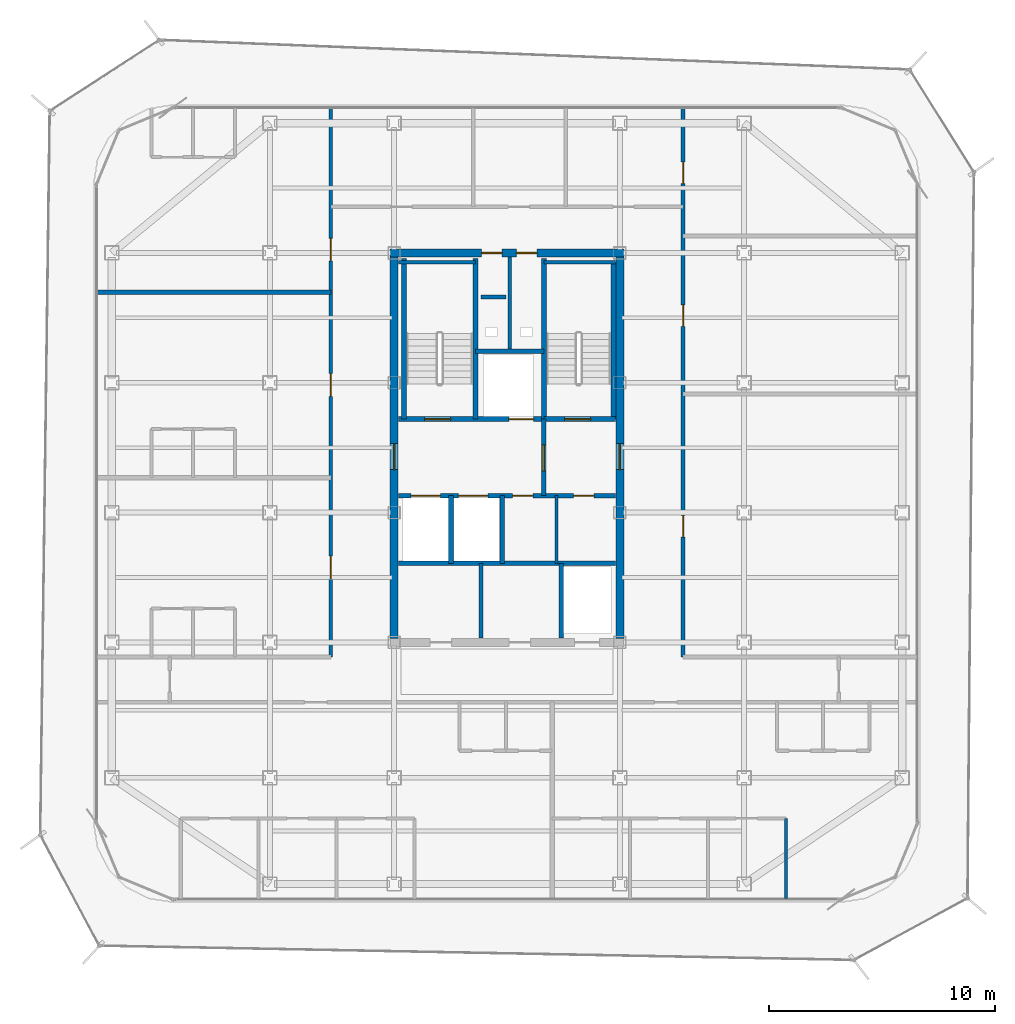
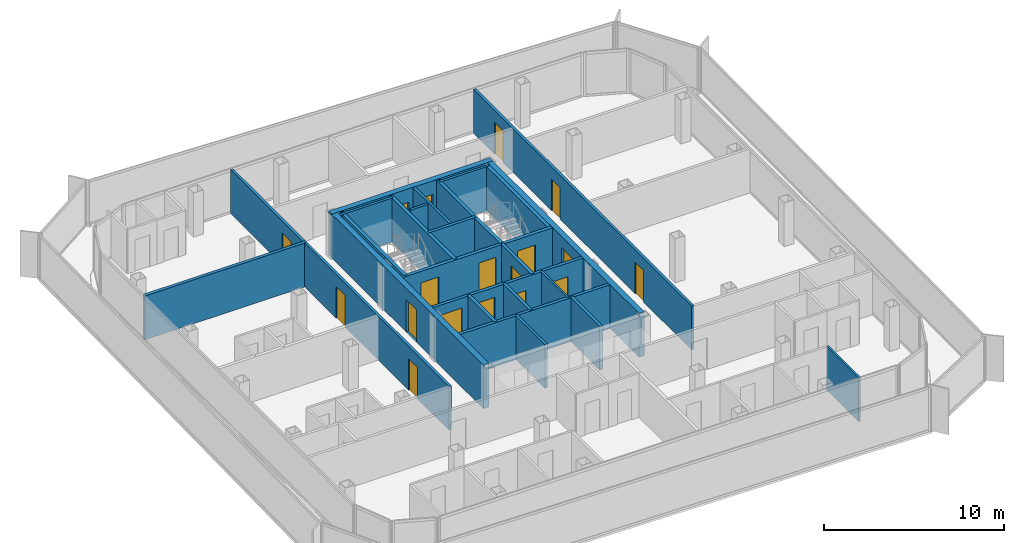
# One storey, part 11 of 15: 26 walls, 18 doors, 18 openings.
"""IFC4 building model written with IfcOpenShell, lengths in metres."""

from ifc_helpers import new_model, si_unit, direction, frame, frame_2d, origin, place, context, subcontext, project, spatial, rectangle, extrude, material, layer, layer_set, type_object, element, fill, save


model = new_model("IFC4")

# Units and contexts
model_context = context("Model", 3, precision=1e-05, world=origin(), true_north=direction((0.0, 1.0)))
body_context = subcontext(model_context, "Body", "Model", "MODEL_VIEW")
ifc_project = project(units=[si_unit("LENGTHUNIT", "METRE"), si_unit("AREAUNIT", "SQUARE_METRE"), si_unit("VOLUMEUNIT", "CUBIC_METRE"), si_unit("PLANEANGLEUNIT", "RADIAN"), si_unit("MASSUNIT", "GRAM", prefix="KILO")], contexts=[model_context])

# Site, building, storey
site_placement = place(None, origin())
site = spatial("IfcSite", under=ifc_project, at=site_placement, CompositionType="ELEMENT")
building_placement = place(site_placement, origin())
building = spatial("IfcBuilding", under=site, at=building_placement, Name="Kolveth Station Tower", CompositionType="ELEMENT")
storey_placement = place(building_placement, frame((0.0, 0.0, 261.699951171875)))
storey = spatial("IfcBuildingStorey", under=building, at=storey_placement, Name="L75", CompositionType="ELEMENT", Elevation=261.699951171875)

# Wall, openings, doors
ifc_material_1 = material(Name="Concrete C50/60", Category="concrete")
ifc_layer_1 = layer(ifc_material_1, 0.35009765625)
ifc_layer_set_1 = layer_set([ifc_layer_1], Name="Concrete C50/60")
wall_type_1 = type_object("IfcWallType", Name="Wall_CW-350", PredefinedType="SHEAR", material=ifc_layer_set_1)
wall_1_placement = place(storey_placement, frame((18.324951171875, 28.75, 0.0), z_axis=(0.0, 0.0, 1.0), x_axis=(1.0, 0.0, 0.0)))
wall_1 = element("IfcWall", 1, at=wall_1_placement, inside=storey, type_object=wall_type_1, Name="L75 Core RC Shear Wall N", PredefinedType="SHEAR", context=body_context, shape_type="SweptSolid", body=[
    extrude(rectangle(XDim=10.35009765625, YDim=0.35009765625, at=frame_2d((5.175048828125, 0.0))), origin(), (0.0, 0.0, 1.0), 2.97998046875),
])
opening_1_placement = place(wall_1_placement, frame((4.054931640625, 0.0, 0.0)))
opening_1 = element("IfcOpeningElement", 2, at=opening_1_placement, cuts=wall_1, Name="Opening RD1", PredefinedType="OPENING", context=body_context, shape_type="SweptSolid", body=[
    extrude(rectangle(XDim=0.89990234375, YDim=2.050048828125, at=frame_2d((0.449951171875, 1.02490234375))), frame((0.0, 0.18505859375, 0.0), z_axis=(0.0, -1.0, 0.0), x_axis=(1.0, 0.0, 0.0)), (0.0, 0.0, 1.0), 0.3701171875),
])
opening_2_placement = place(wall_1_placement, frame((5.594970703125, 0.0, 0.0)))
opening_2 = element("IfcOpeningElement", 3, at=opening_2_placement, cuts=wall_1, Name="Opening RD1", PredefinedType="OPENING", context=body_context, shape_type="SweptSolid", body=[
    extrude(rectangle(XDim=0.89990234375, YDim=2.050048828125, at=frame_2d((0.449951171875, 1.02490234375))), frame((0.0, 0.18505859375, 0.0), z_axis=(0.0, -1.0, 0.0), x_axis=(1.0, 0.0, 0.0)), (0.0, 0.0, 1.0), 0.3701171875),
])
ifc_material_2 = material(Name="Fire-rated Steel S355 riser access leaf", Category="steel")
door_type_1 = type_object("IfcDoorType", Name="Door_RD1", OperationType="NOTDEFINED", PredefinedType="DOOR", material=ifc_material_2)
door_1_placement = place(opening_1_placement, origin())
door_1 = element("IfcDoor", 4, at=door_1_placement, inside=storey, type_object=door_type_1, Name="L75 Electrical Riser Access Door", OperationType="SINGLE_SWING_RIGHT", OverallHeight=2.050048828125, OverallWidth=0.89990234375, PredefinedType="DOOR", context=body_context, shape_type="SweptSolid", body=[
    extrude(rectangle(XDim=0.89990234375, YDim=2.050048828125, at=frame_2d((0.449951171875, 1.02490234375))), frame((0.0, 0.02490234375, 0.0), z_axis=(0.0, -1.0, 0.0), x_axis=(1.0, 0.0, 0.0)), (0.0, 0.0, 1.0), 0.050048828125),
])
fill(opening_1, door_1)
door_2_placement = place(opening_2_placement, origin())
door_2 = element("IfcDoor", 5, at=door_2_placement, inside=storey, type_object=door_type_1, Name="L75 Smoke Duct Access Door", OperationType="SINGLE_SWING_LEFT", OverallHeight=2.050048828125, OverallWidth=0.89990234375, PredefinedType="DOOR", context=body_context, shape_type="SweptSolid", body=[
    extrude(rectangle(XDim=0.89990234375, YDim=2.050048828125, at=frame_2d((0.449951171875, 1.02490234375))), frame((0.0, 0.02490234375, 0.0), z_axis=(0.0, -1.0, 0.0), x_axis=(1.0, 0.0, 0.0)), (0.0, 0.0, 1.0), 0.050048828125),
])
fill(opening_2, door_2)

# Wall, opening, door
wall_2_placement = place(storey_placement, frame((18.5, 11.675048828125, 0.0), z_axis=(0.0, 0.0, 1.0), x_axis=(0.0, 1.0, 0.0)))
wall_2 = element("IfcWall", 6, at=wall_2_placement, inside=storey, type_object=wall_type_1, Name="L75 Core RC Shear Wall W", PredefinedType="SHEAR", context=body_context, shape_type="SweptSolid", body=[
    extrude(rectangle(XDim=16.89990234375, YDim=0.35009765625, at=frame_2d((8.449951171875, 0.0))), origin(), (0.0, 0.0, 1.0), 2.97998046875),
])
opening_3_placement = place(wall_2_placement, frame((7.47509765625, 0.0, 0.0)))
opening_3 = element("IfcOpeningElement", 7, at=opening_3_placement, cuts=wall_2, Name="Opening FD1", PredefinedType="OPENING", context=body_context, shape_type="SweptSolid", body=[
    extrude(rectangle(XDim=1.14990234375, YDim=2.199951171875, at=frame_2d((0.574951171875, 1.10009765625))), frame((0.0, 0.18505859375, 0.0), z_axis=(0.0, -1.0, 0.0), x_axis=(1.0, 0.0, 0.0)), (0.0, 0.0, 1.0), 0.3701171875),
])
ifc_material_3 = material(Name="Fire-rated Steel S355 leaf and frame", Category="steel")
door_type_2 = type_object("IfcDoorType", Name="Door_FD1", OperationType="NOTDEFINED", PredefinedType="DOOR", material=ifc_material_3)
door_3_placement = place(opening_3_placement, frame((1.14990234375, 0.0, 0.0), z_axis=(0.0, 0.0, 1.0), x_axis=(-1.0, 0.0, 0.0)))
door_3 = element("IfcDoor", 8, at=door_3_placement, inside=storey, type_object=door_type_2, Name="L75 West Corridor to Firefighting Lobby Door", OperationType="SINGLE_SWING_LEFT", OverallHeight=2.199951171875, OverallWidth=1.14990234375, PredefinedType="DOOR", context=body_context, shape_type="SweptSolid", body=[
    extrude(rectangle(XDim=1.14990234375, YDim=2.199951171875, at=frame_2d((0.574951171875, 1.10009765625))), frame((0.0, 0.02490234375, 0.0), z_axis=(0.0, -1.0, 0.0), x_axis=(1.0, 0.0, 0.0)), (0.0, 0.0, 1.0), 0.050048828125),
])
fill(opening_3, door_3)

wall_3_placement = place(storey_placement, frame((28.5, 11.675048828125, 0.0), z_axis=(0.0, 0.0, 1.0), x_axis=(0.0, 1.0, 0.0)))
wall_3 = element("IfcWall", 9, at=wall_3_placement, inside=storey, type_object=wall_type_1, Name="L75 Core RC Shear Wall E", PredefinedType="SHEAR", context=body_context, shape_type="SweptSolid", body=[
    extrude(rectangle(XDim=16.89990234375, YDim=0.35009765625, at=frame_2d((8.449951171875, 0.0))), origin(), (0.0, 0.0, 1.0), 2.97998046875),
])
opening_4_placement = place(wall_3_placement, frame((7.47509765625, 0.0, 0.0)))
opening_4 = element("IfcOpeningElement", 10, at=opening_4_placement, cuts=wall_3, Name="Opening FD1", PredefinedType="OPENING", context=body_context, shape_type="SweptSolid", body=[
    extrude(rectangle(XDim=1.14990234375, YDim=2.199951171875, at=frame_2d((0.574951171875, 1.10009765625))), frame((0.0, 0.18505859375, 0.0), z_axis=(0.0, -1.0, 0.0), x_axis=(1.0, 0.0, 0.0)), (0.0, 0.0, 1.0), 0.3701171875),
])
door_4_placement = place(opening_4_placement, origin())
door_4 = element("IfcDoor", 11, at=door_4_placement, inside=storey, type_object=door_type_2, Name="L75 East Corridor to Stair Lobby Door", OperationType="SINGLE_SWING_LEFT", OverallHeight=2.199951171875, OverallWidth=1.14990234375, PredefinedType="DOOR", context=body_context, shape_type="SweptSolid", body=[
    extrude(rectangle(XDim=1.14990234375, YDim=2.199951171875, at=frame_2d((0.574951171875, 1.10009765625))), frame((0.0, 0.02490234375, 0.0), z_axis=(0.0, -1.0, 0.0), x_axis=(1.0, 0.0, 0.0)), (0.0, 0.0, 1.0), 0.050048828125),
])
fill(opening_4, door_4)

# Walls
ifc_material_4 = material(Name="Moisture-resistant gypsum partition")
ifc_layer_2 = layer(ifc_material_4, 0.135009765625)
ifc_layer_set_2 = layer_set([ifc_layer_2], Name="Moisture-resistant gypsum partition")
wall_type_2 = type_object("IfcWallType", Name="Wall_IW-135", PredefinedType="PARTITIONING", material=ifc_layer_set_2)
wall_4_placement = place(storey_placement, frame((25.699951171875, 15.0, 0.0), z_axis=(0.0, 0.0, 1.0), x_axis=(0.0, 1.0, 0.0)))
element("IfcWall", 12, at=wall_4_placement, inside=storey, type_object=wall_type_2, Name="L75 Partition Wall WL-L75-CB-V1", PredefinedType="PARTITIONING", context=body_context, shape_type="SweptSolid", body=[
    extrude(rectangle(XDim=3.0, YDim=0.135009765625, at=frame_2d((1.5, 0.0))), origin(), (0.0, 0.0, 1.0), 2.97998046875),
])
wall_5_placement = place(storey_placement, frame((35.85009765625, 0.159912109375, 0.0), z_axis=(0.0, 0.0, 1.0), x_axis=(0.0, 1.0, 0.0)))
element("IfcWall", 13, at=wall_5_placement, inside=storey, type_object=wall_type_2, Name="L75 Partition Wall WL-L75-A2-BDVE", PredefinedType="PARTITIONING", context=body_context, shape_type="SweptSolid", body=[
    extrude(rectangle(XDim=3.550048828125, YDim=0.135009765625, at=frame_2d((1.77490234375, 0.0))), origin(), (0.0, 0.0, 1.0), 2.97998046875),
])
ifc_material_5 = material(Name="Acoustic double-stud gypsum partition")
ifc_layer_3 = layer(ifc_material_5, 0.1650390625)
ifc_layer_set_3 = layer_set([ifc_layer_3], Name="Acoustic double-stud gypsum partition")
wall_type_3 = type_object("IfcWallType", Name="Wall_IW-165", PredefinedType="PARTITIONING", material=ifc_layer_set_3)
wall_6_placement = place(storey_placement, frame((18.68505859375, 28.3349609375, 0.0), z_axis=(0.0, 0.0, 1.0), x_axis=(1.0, 0.0, 0.0)))
element("IfcWall", 14, at=wall_6_placement, inside=storey, type_object=wall_type_3, Name="L75 Stair Shaft Wall WL-L75-ST1-N", PredefinedType="PARTITIONING", context=body_context, shape_type="SweptSolid", body=[
    extrude(rectangle(XDim=3.425048828125, YDim=0.1650390625, at=frame_2d((1.71240234375, 0.0))), origin(), (0.0, 0.0, 1.0), 2.97998046875),
])
wall_7_placement = place(storey_placement, frame((25.1298828125, 28.3349609375, 0.0), z_axis=(0.0, 0.0, 1.0), x_axis=(1.0, 0.0, 0.0)))
element("IfcWall", 15, at=wall_7_placement, inside=storey, type_object=wall_type_3, Name="L75 Stair Shaft Wall WL-L75-ST2-N", PredefinedType="PARTITIONING", context=body_context, shape_type="SweptSolid", body=[
    extrude(rectangle(XDim=3.18505859375, YDim=0.1650390625, at=frame_2d((1.592529296875, 0.0))), origin(), (0.0, 0.0, 1.0), 2.97998046875),
])
wall_8_placement = place(storey_placement, frame((23.6201171875, 24.39990234375, 0.0), z_axis=(0.0, 0.0, 1.0), x_axis=(0.0, 1.0, 0.0)))
element("IfcWall", 16, at=wall_8_placement, inside=storey, type_object=wall_type_3, Name="L75 Partition Wall WL-L75-RSR-M", PredefinedType="PARTITIONING", context=body_context, shape_type="SweptSolid", body=[
    extrude(rectangle(XDim=4.1650390625, YDim=0.1650390625, at=frame_2d((2.08251953125, 0.0))), origin(), (0.0, 0.0, 1.0), 2.97998046875),
])
wall_9_placement = place(storey_placement, frame((22.35009765625, 11.68505859375, 0.0), z_axis=(0.0, 0.0, 1.0), x_axis=(0.0, 1.0, 0.0)))
element("IfcWall", 17, at=wall_9_placement, inside=storey, type_object=wall_type_3, Name="L75 Partition Wall WL-L75-FR-M", PredefinedType="PARTITIONING", context=body_context, shape_type="SweptSolid", body=[
    extrude(rectangle(XDim=3.31494140625, YDim=0.1650390625, at=frame_2d((1.657470703125, 0.0))), origin(), (0.0, 0.0, 1.0), 2.97998046875),
])

# Wall, openings, doors
wall_10_placement = place(storey_placement, frame((15.699951171875, 10.85009765625, 0.0), z_axis=(0.0, 0.0, 1.0), x_axis=(0.0, 1.0, 0.0)))
wall_10 = element("IfcWall", 18, at=wall_10_placement, inside=storey, type_object=wall_type_3, Name="L75 Partition Wall WL-L75-RW", PredefinedType="PARTITIONING", context=body_context, shape_type="SweptSolid", body=[
    extrude(rectangle(XDim=24.289794921875, YDim=0.1650390625, at=frame_2d((12.14501953125, 0.0))), origin(), (0.0, 0.0, 1.0), 2.97998046875),
])
opening_5_placement = place(wall_10_placement, frame((3.47509765625, 0.0, 0.0)))
opening_5 = element("IfcOpeningElement", 19, at=opening_5_placement, cuts=wall_10, Name="Opening FD3", PredefinedType="OPENING", context=body_context, shape_type="SweptSolid", body=[
    extrude(rectangle(XDim=1.0, YDim=2.14990234375, at=frame_2d((0.5, 1.074951171875))), frame((0.0, 0.092529296875, 0.0), z_axis=(0.0, -1.0, 0.0), x_axis=(1.0, 0.0, 0.0)), (0.0, 0.0, 1.0), 0.18505859375),
])
opening_6_placement = place(wall_10_placement, frame((11.550048828125, 0.0, 0.0)))
opening_6 = element("IfcOpeningElement", 20, at=opening_6_placement, cuts=wall_10, Name="Opening FD3", PredefinedType="OPENING", context=body_context, shape_type="SweptSolid", body=[
    extrude(rectangle(XDim=1.0, YDim=2.14990234375, at=frame_2d((0.5, 1.074951171875))), frame((0.0, 0.092529296875, 0.0), z_axis=(0.0, -1.0, 0.0), x_axis=(1.0, 0.0, 0.0)), (0.0, 0.0, 1.0), 0.18505859375),
])
opening_7_placement = place(wall_10_placement, frame((17.550048828125, 0.0, 0.0)))
opening_7 = element("IfcOpeningElement", 21, at=opening_7_placement, cuts=wall_10, Name="Opening FD3", PredefinedType="OPENING", context=body_context, shape_type="SweptSolid", body=[
    extrude(rectangle(XDim=1.0, YDim=2.14990234375, at=frame_2d((0.5, 1.074951171875))), frame((0.0, 0.092529296875, 0.0), z_axis=(0.0, -1.0, 0.0), x_axis=(1.0, 0.0, 0.0)), (0.0, 0.0, 1.0), 0.18505859375),
])
ifc_material_6 = material(Name="Fire-rated hardwood leaf and aluminium frame", Category="wood")
door_type_3 = type_object("IfcDoorType", Name="Door_FD3", OperationType="NOTDEFINED", PredefinedType="DOOR", material=ifc_material_6)
door_5_placement = place(opening_5_placement, origin())
door_5 = element("IfcDoor", 22, at=door_5_placement, inside=storey, type_object=door_type_3, Name="Flat L75-W1 Entrance Door", OperationType="SINGLE_SWING_RIGHT", OverallHeight=2.14990234375, OverallWidth=1.0, PredefinedType="DOOR", context=body_context, shape_type="SweptSolid", body=[
    extrude(rectangle(XDim=1.0, YDim=2.14990234375, at=frame_2d((0.5, 1.074951171875))), frame((0.0, 0.02490234375, 0.0), z_axis=(0.0, -1.0, 0.0), x_axis=(1.0, 0.0, 0.0)), (0.0, 0.0, 1.0), 0.050048828125),
])
fill(opening_5, door_5)
door_6_placement = place(opening_6_placement, origin())
door_6 = element("IfcDoor", 23, at=door_6_placement, inside=storey, type_object=door_type_3, Name="Flat L75-W2 Entrance Door", OperationType="SINGLE_SWING_LEFT", OverallHeight=2.14990234375, OverallWidth=1.0, PredefinedType="DOOR", context=body_context, shape_type="SweptSolid", body=[
    extrude(rectangle(XDim=1.0, YDim=2.14990234375, at=frame_2d((0.5, 1.074951171875))), frame((0.0, 0.02490234375, 0.0), z_axis=(0.0, -1.0, 0.0), x_axis=(1.0, 0.0, 0.0)), (0.0, 0.0, 1.0), 0.050048828125),
])
fill(opening_6, door_6)
door_7_placement = place(opening_7_placement, origin())
door_7 = element("IfcDoor", 24, at=door_7_placement, inside=storey, type_object=door_type_3, Name="Flat L75-W3 Entrance Door", OperationType="SINGLE_SWING_RIGHT", OverallHeight=2.14990234375, OverallWidth=1.0, PredefinedType="DOOR", context=body_context, shape_type="SweptSolid", body=[
    extrude(rectangle(XDim=1.0, YDim=2.14990234375, at=frame_2d((0.5, 1.074951171875))), frame((0.0, 0.02490234375, 0.0), z_axis=(0.0, -1.0, 0.0), x_axis=(1.0, 0.0, 0.0)), (0.0, 0.0, 1.0), 0.050048828125),
])
fill(opening_7, door_7)

wall_11_placement = place(storey_placement, frame((31.300048828125, 10.85009765625, 0.0), z_axis=(0.0, 0.0, 1.0), x_axis=(0.0, 1.0, 0.0)))
wall_11 = element("IfcWall", 25, at=wall_11_placement, inside=storey, type_object=wall_type_3, Name="L75 Partition Wall WL-L75-RE", PredefinedType="PARTITIONING", context=body_context, shape_type="SweptSolid", body=[
    extrude(rectangle(XDim=24.289794921875, YDim=0.1650390625, at=frame_2d((12.14501953125, 0.0))), origin(), (0.0, 0.0, 1.0), 2.97998046875),
])
opening_8_placement = place(wall_11_placement, frame((5.324951171875, 0.0, 0.0)))
opening_8 = element("IfcOpeningElement", 26, at=opening_8_placement, cuts=wall_11, Name="Opening ID1", PredefinedType="OPENING", context=body_context, shape_type="SweptSolid", body=[
    extrude(rectangle(XDim=0.949951171875, YDim=2.14990234375, at=frame_2d((0.47509765625, 1.074951171875))), frame((0.0, 0.092529296875, 0.0), z_axis=(0.0, -1.0, 0.0), x_axis=(1.0, 0.0, 0.0)), (0.0, 0.0, 1.0), 0.18505859375),
])
opening_9_placement = place(wall_11_placement, frame((14.64990234375, 0.0, 0.0)))
opening_9 = element("IfcOpeningElement", 27, at=opening_9_placement, cuts=wall_11, Name="Opening ID1", PredefinedType="OPENING", context=body_context, shape_type="SweptSolid", body=[
    extrude(rectangle(XDim=0.949951171875, YDim=2.14990234375, at=frame_2d((0.47509765625, 1.074951171875))), frame((0.0, 0.092529296875, 0.0), z_axis=(0.0, -1.0, 0.0), x_axis=(1.0, 0.0, 0.0)), (0.0, 0.0, 1.0), 0.18505859375),
])
opening_10_placement = place(wall_11_placement, frame((20.969970703125, 0.0, 0.0)))
opening_10 = element("IfcOpeningElement", 28, at=opening_10_placement, cuts=wall_11, Name="Opening ID1", PredefinedType="OPENING", context=body_context, shape_type="SweptSolid", body=[
    extrude(rectangle(XDim=0.949951171875, YDim=2.14990234375, at=frame_2d((0.47509765625, 1.074951171875))), frame((0.0, 0.092529296875, 0.0), z_axis=(0.0, -1.0, 0.0), x_axis=(1.0, 0.0, 0.0)), (0.0, 0.0, 1.0), 0.18505859375),
])
ifc_material_7 = material(Name="Acoustic hardwood leaf and aluminium frame", Category="wood")
door_type_4 = type_object("IfcDoorType", Name="Door_ID1", OperationType="NOTDEFINED", PredefinedType="DOOR", material=ifc_material_7)
door_8_placement = place(opening_8_placement, origin())
door_8 = element("IfcDoor", 29, at=door_8_placement, inside=storey, type_object=door_type_4, Name="L75 Sky Dining Salon East Door", OperationType="SINGLE_SWING_LEFT", OverallHeight=2.14990234375, OverallWidth=0.949951171875, PredefinedType="DOOR", context=body_context, shape_type="SweptSolid", body=[
    extrude(rectangle(XDim=0.949951171875, YDim=2.14990234375, at=frame_2d((0.47509765625, 1.074951171875))), frame((0.0, 0.02490234375, 0.0), z_axis=(0.0, -1.0, 0.0), x_axis=(1.0, 0.0, 0.0)), (0.0, 0.0, 1.0), 0.050048828125),
])
fill(opening_8, door_8)
door_9_placement = place(opening_9_placement, origin())
door_9 = element("IfcDoor", 30, at=door_9_placement, inside=storey, type_object=door_type_4, Name="L75 Private Music Room Door", OperationType="SINGLE_SWING_LEFT", OverallHeight=2.14990234375, OverallWidth=0.949951171875, PredefinedType="DOOR", context=body_context, shape_type="SweptSolid", body=[
    extrude(rectangle(XDim=0.949951171875, YDim=2.14990234375, at=frame_2d((0.47509765625, 1.074951171875))), frame((0.0, 0.02490234375, 0.0), z_axis=(0.0, -1.0, 0.0), x_axis=(1.0, 0.0, 0.0)), (0.0, 0.0, 1.0), 0.050048828125),
])
fill(opening_9, door_9)
door_10_placement = place(opening_10_placement, origin())
door_10 = element("IfcDoor", 31, at=door_10_placement, inside=storey, type_object=door_type_4, Name="L75 Catering Pantry Door", OperationType="SINGLE_SWING_LEFT", OverallHeight=2.14990234375, OverallWidth=0.949951171875, PredefinedType="DOOR", context=body_context, shape_type="SweptSolid", body=[
    extrude(rectangle(XDim=0.949951171875, YDim=2.14990234375, at=frame_2d((0.47509765625, 1.074951171875))), frame((0.0, 0.02490234375, 0.0), z_axis=(0.0, -1.0, 0.0), x_axis=(1.0, 0.0, 0.0)), (0.0, 0.0, 1.0), 0.050048828125),
])
fill(opening_10, door_10)

# Walls
wall_12_placement = place(storey_placement, frame((22.35009765625, 26.800048828125, 0.0), z_axis=(0.0, 0.0, 1.0), x_axis=(1.0, 0.0, 0.0)))
element("IfcWall", 32, at=wall_12_placement, inside=storey, type_object=wall_type_3, Name="L75 Acoustic Riser Dry-Lining Wall", PredefinedType="PARTITIONING", context=body_context, shape_type="SweptSolid", body=[
    extrude(rectangle(XDim=1.099853515625, YDim=0.1650390625, at=frame_2d((0.5498046875, 0.0))), origin(), (0.0, 0.0, 1.0), 2.97998046875),
])
ifc_material_8 = material(Name="Acoustic fire-rated gypsum blockwork", Category="masonry")
ifc_layer_4 = layer(ifc_material_8, 0.199951171875)
ifc_layer_set_4 = layer_set([ifc_layer_4], Name="Acoustic fire-rated gypsum blockwork")
wall_type_4 = type_object("IfcWallType", Name="Wall_IW-200", PredefinedType="PARTITIONING", material=ifc_layer_set_4)
wall_13_placement = place(storey_placement, frame((22.110107421875, 24.39990234375, 0.0), z_axis=(0.0, 0.0, 1.0), x_axis=(1.0, 0.0, 0.0)))
element("IfcWall", 33, at=wall_13_placement, inside=storey, type_object=wall_type_4, Name="L75 Partition Wall WL-L75-RSR-S", PredefinedType="PARTITIONING", context=body_context, shape_type="SweptSolid", body=[
    extrude(rectangle(XDim=3.019775390625, YDim=0.199951171875, at=frame_2d((1.509765625, 0.0))), origin(), (0.0, 0.0, 1.0), 2.97998046875),
])

# Wall, opening, door
wall_14_placement = place(storey_placement, frame((25.1298828125, 18.0, 0.0), z_axis=(0.0, 0.0, 1.0), x_axis=(0.0, 1.0, 0.0)))
wall_14 = element("IfcWall", 34, at=wall_14_placement, inside=storey, type_object=wall_type_4, Name="L75 Partition Wall WL-L75-FFL-E", PredefinedType="PARTITIONING", context=body_context, shape_type="SweptSolid", body=[
    extrude(rectangle(XDim=3.389892578125, YDim=0.199951171875, at=frame_2d((1.69482421875, 0.0))), origin(), (0.0, 0.0, 1.0), 2.97998046875),
])
opening_11_placement = place(wall_14_placement, frame((1.10009765625, 0.0, 0.0)))
opening_11 = element("IfcOpeningElement", 35, at=opening_11_placement, cuts=wall_14, Name="Opening FD1", PredefinedType="OPENING", context=body_context, shape_type="SweptSolid", body=[
    extrude(rectangle(XDim=1.14990234375, YDim=2.199951171875, at=frame_2d((0.574951171875, 1.10009765625))), frame((0.0, 0.10986328125, 0.0), z_axis=(0.0, -1.0, 0.0), x_axis=(1.0, 0.0, 0.0)), (0.0, 0.0, 1.0), 0.219970703125),
])
door_11_placement = place(opening_11_placement, origin())
door_11 = element("IfcDoor", 36, at=door_11_placement, inside=storey, type_object=door_type_2, Name="L75 Firefighting to Stair Lobby Door", OperationType="SINGLE_SWING_LEFT", OverallHeight=2.199951171875, OverallWidth=1.14990234375, PredefinedType="DOOR", context=body_context, shape_type="SweptSolid", body=[
    extrude(rectangle(XDim=1.14990234375, YDim=2.199951171875, at=frame_2d((0.574951171875, 1.10009765625))), frame((0.0, 0.02490234375, 0.0), z_axis=(0.0, -1.0, 0.0), x_axis=(1.0, 0.0, 0.0)), (0.0, 0.0, 1.0), 0.050048828125),
])
fill(opening_11, door_11)

# Wall, openings, doors
wall_15_placement = place(storey_placement, frame((18.68505859375, 18.0, 0.0), z_axis=(0.0, 0.0, 1.0), x_axis=(1.0, 0.0, 0.0)))
wall_15 = element("IfcWall", 37, at=wall_15_placement, inside=storey, type_object=wall_type_4, Name="L75 Partition Wall WL-L75-FFL-S", PredefinedType="PARTITIONING", context=body_context, shape_type="SweptSolid", body=[
    extrude(rectangle(XDim=9.6298828125, YDim=0.199951171875, at=frame_2d((4.81494140625, 0.0))), origin(), (0.0, 0.0, 1.0), 2.97998046875),
])
opening_12_placement = place(wall_15_placement, frame((0.56494140625, 0.0, 0.0)))
opening_12 = element("IfcOpeningElement", 38, at=opening_12_placement, cuts=wall_15, Name="Opening LD2", PredefinedType="OPENING", context=body_context, shape_type="SweptSolid", body=[
    extrude(rectangle(XDim=1.300048828125, YDim=2.300048828125, at=frame_2d((0.64990234375, 1.14990234375))), frame((0.0, 0.10986328125, 0.0), z_axis=(0.0, -1.0, 0.0), x_axis=(1.0, 0.0, 0.0)), (0.0, 0.0, 1.0), 0.219970703125),
])
opening_13_placement = place(wall_15_placement, frame((2.6650390625, 0.0, 0.0)))
opening_13 = element("IfcOpeningElement", 39, at=opening_13_placement, cuts=wall_15, Name="Opening LD2", PredefinedType="OPENING", context=body_context, shape_type="SweptSolid", body=[
    extrude(rectangle(XDim=1.300048828125, YDim=2.300048828125, at=frame_2d((0.64990234375, 1.14990234375))), frame((0.0, 0.10986328125, 0.0), z_axis=(0.0, -1.0, 0.0), x_axis=(1.0, 0.0, 0.0)), (0.0, 0.0, 1.0), 0.219970703125),
])
opening_14_placement = place(wall_15_placement, frame((5.06494140625, 0.0, 0.0)))
opening_14 = element("IfcOpeningElement", 40, at=opening_14_placement, cuts=wall_15, Name="Opening RD1", PredefinedType="OPENING", context=body_context, shape_type="SweptSolid", body=[
    extrude(rectangle(XDim=0.89990234375, YDim=2.050048828125, at=frame_2d((0.449951171875, 1.02490234375))), frame((0.0, 0.10986328125, 0.0), z_axis=(0.0, -1.0, 0.0), x_axis=(1.0, 0.0, 0.0)), (0.0, 0.0, 1.0), 0.219970703125),
])
opening_15_placement = place(wall_15_placement, frame((7.764892578125, 0.0, 0.0)))
opening_15 = element("IfcOpeningElement", 41, at=opening_15_placement, cuts=wall_15, Name="Opening RD1", PredefinedType="OPENING", context=body_context, shape_type="SweptSolid", body=[
    extrude(rectangle(XDim=0.89990234375, YDim=2.050048828125, at=frame_2d((0.449951171875, 1.02490234375))), frame((0.0, 0.10986328125, 0.0), z_axis=(0.0, -1.0, 0.0), x_axis=(1.0, 0.0, 0.0)), (0.0, 0.0, 1.0), 0.219970703125),
])
ifc_material_9 = material(Name="Firefighting stainless steel sliding landing doors", Category="steel")
door_type_5 = type_object("IfcDoorType", Name="Door_LD2", OperationType="NOTDEFINED", PredefinedType="DOOR", material=ifc_material_9)
door_12_placement = place(opening_12_placement, origin())
door_12 = element("IfcDoor", 42, at=door_12_placement, inside=storey, type_object=door_type_5, Name="L75 Firefighting Lift FF1 Landing Door", OperationType="DOUBLE_DOOR_SLIDING", OverallHeight=2.300048828125, OverallWidth=1.300048828125, PredefinedType="DOOR", context=body_context, shape_type="SweptSolid", body=[
    extrude(rectangle(XDim=1.300048828125, YDim=2.300048828125, at=frame_2d((0.64990234375, 1.14990234375))), frame((0.0, 0.02490234375, 0.0), z_axis=(0.0, -1.0, 0.0), x_axis=(1.0, 0.0, 0.0)), (0.0, 0.0, 1.0), 0.050048828125),
])
fill(opening_12, door_12)
door_13_placement = place(opening_13_placement, origin())
door_13 = element("IfcDoor", 43, at=door_13_placement, inside=storey, type_object=door_type_5, Name="L75 Firefighting Lift FF2 Landing Door", OperationType="DOUBLE_DOOR_SLIDING", OverallHeight=2.300048828125, OverallWidth=1.300048828125, PredefinedType="DOOR", context=body_context, shape_type="SweptSolid", body=[
    extrude(rectangle(XDim=1.300048828125, YDim=2.300048828125, at=frame_2d((0.64990234375, 1.14990234375))), frame((0.0, 0.02490234375, 0.0), z_axis=(0.0, -1.0, 0.0), x_axis=(1.0, 0.0, 0.0)), (0.0, 0.0, 1.0), 0.050048828125),
])
fill(opening_13, door_13)
door_14_placement = place(opening_14_placement, frame((0.89990234375, 0.0, 0.0), z_axis=(0.0, 0.0, 1.0), x_axis=(-1.0, 0.0, 0.0)))
door_14 = element("IfcDoor", 44, at=door_14_placement, inside=storey, type_object=door_type_1, Name="L75 Core Accessible WC Door", OperationType="SINGLE_SWING_RIGHT", OverallHeight=2.050048828125, OverallWidth=0.89990234375, PredefinedType="DOOR", context=body_context, shape_type="SweptSolid", body=[
    extrude(rectangle(XDim=0.89990234375, YDim=2.050048828125, at=frame_2d((0.449951171875, 1.02490234375))), frame((0.0, 0.02490234375, 0.0), z_axis=(0.0, -1.0, 0.0), x_axis=(1.0, 0.0, 0.0)), (0.0, 0.0, 1.0), 0.050048828125),
])
fill(opening_14, door_14)
door_15_placement = place(opening_15_placement, frame((0.89990234375, 0.0, 0.0), z_axis=(0.0, 0.0, 1.0), x_axis=(-1.0, 0.0, 0.0)))
door_15 = element("IfcDoor", 45, at=door_15_placement, inside=storey, type_object=door_type_1, Name="L75 Core Cleaner Store Door", OperationType="SINGLE_SWING_LEFT", OverallHeight=2.050048828125, OverallWidth=0.89990234375, PredefinedType="DOOR", context=body_context, shape_type="SweptSolid", body=[
    extrude(rectangle(XDim=0.89990234375, YDim=2.050048828125, at=frame_2d((0.449951171875, 1.02490234375))), frame((0.0, 0.02490234375, 0.0), z_axis=(0.0, -1.0, 0.0), x_axis=(1.0, 0.0, 0.0)), (0.0, 0.0, 1.0), 0.050048828125),
])
fill(opening_15, door_15)

# Walls
for number, where, z_axis, x_axis, name in (
    (46, (21.02001953125, 15.0, 0.0), (0.0, 0.0, 1.0), (0.0, 1.0, 0.0), "L75 Partition Wall WL-L75-FF12"),
    (47, (23.300048828125, 15.0, 0.0), (0.0, 0.0, 1.0), (0.0, 1.0, 0.0), "L75 Partition Wall WL-L75-FF2E"),
):
    element("IfcWall", number, at=place(storey_placement, frame(where, z_axis=z_axis, x_axis=x_axis)), inside=storey, type_object=wall_type_4, Name=name, PredefinedType="PARTITIONING", context=body_context, shape_type="SweptSolid", body=[
        extrude(rectangle(XDim=3.0, YDim=0.199951171875, at=frame_2d((1.5, 0.0))), origin(), (0.0, 0.0, 1.0), 2.97998046875),
    ])
wall_16_placement = place(storey_placement, frame((18.68505859375, 15.0, 0.0), z_axis=(0.0, 0.0, 1.0), x_axis=(1.0, 0.0, 0.0)))
element("IfcWall", 48, at=wall_16_placement, inside=storey, type_object=wall_type_4, Name="L75 Partition Wall WL-L75-BOH-S", PredefinedType="PARTITIONING", context=body_context, shape_type="SweptSolid", body=[
    extrude(rectangle(XDim=9.6298828125, YDim=0.199951171875, at=frame_2d((4.81494140625, 0.0))), origin(), (0.0, 0.0, 1.0), 2.97998046875),
])
wall_17_placement = place(storey_placement, frame((25.89990234375, 11.68505859375, 0.0), z_axis=(0.0, 0.0, 1.0), x_axis=(0.0, 1.0, 0.0)))
element("IfcWall", 49, at=wall_17_placement, inside=storey, type_object=wall_type_4, Name="L75 Partition Wall WL-L75-PMPH", PredefinedType="PARTITIONING", context=body_context, shape_type="SweptSolid", body=[
    extrude(rectangle(XDim=3.31494140625, YDim=0.199951171875, at=frame_2d((1.657470703125, 0.0))), origin(), (0.0, 0.0, 1.0), 2.97998046875),
])
wall_18_placement = place(storey_placement, frame((5.360107421875, 27.0, 0.0), z_axis=(0.0, 0.0, 1.0), x_axis=(1.0, 0.0, 0.0)))
element("IfcWall", 50, at=wall_18_placement, inside=storey, type_object=wall_type_4, Name="L75 Partition Wall WL-L75-RWU-2", PredefinedType="PARTITIONING", context=body_context, shape_type="SweptSolid", body=[
    extrude(rectangle(XDim=10.33984375, YDim=0.199951171875, at=frame_2d((5.169921875, 0.0))), origin(), (0.0, 0.0, 1.0), 2.97998046875),
])
ifc_material_10 = material(Name="Concrete C40/50", Category="concrete")
ifc_layer_5 = layer(ifc_material_10, 0.219970703125)
ifc_layer_set_5 = layer_set([ifc_layer_5], Name="Concrete C40/50")
wall_type_5 = type_object("IfcWallType", Name="Wall_IW-220", PredefinedType="SOLIDWALL", material=ifc_layer_set_5)
for number, where, z_axis, x_axis, name in (
    (51, (18.929931640625, 21.389892578125, 0.0), (0.0, 0.0, 1.0), (0.0, 1.0, 0.0), "L75 Stair Shaft Wall WL-L75-ST1-W"),
    (52, (22.110107421875, 21.389892578125, 0.0), (0.0, 0.0, 1.0), (0.0, 1.0, 0.0), "L75 Stair Shaft Wall WL-L75-ST1-E"),
    (53, (25.1298828125, 21.389892578125, 0.0), (0.0, 0.0, 1.0), (0.0, 1.0, 0.0), "L75 Stair Shaft Wall WL-L75-ST2-W"),
):
    element("IfcWall", number, at=place(storey_placement, frame(where, z_axis=z_axis, x_axis=x_axis)), inside=storey, type_object=wall_type_5, Name=name, PredefinedType="SOLIDWALL", context=body_context, shape_type="SweptSolid", body=[
        extrude(rectangle(XDim=7.110107421875, YDim=0.219970703125, at=frame_2d((3.55517578125, 0.0))), origin(), (0.0, 0.0, 1.0), 2.97998046875),
    ])
wall_19_placement = place(storey_placement, frame((28.2099609375, 21.389892578125, 0.0), z_axis=(0.0, 0.0, 1.0), x_axis=(0.0, 1.0, 0.0)))
element("IfcWall", 54, at=wall_19_placement, inside=storey, type_object=wall_type_5, Name="L75 Stair Shaft Wall WL-L75-ST2-E", PredefinedType="SOLIDWALL", context=body_context, shape_type="SweptSolid", body=[
    extrude(rectangle(XDim=6.945068359375, YDim=0.219970703125, at=frame_2d((3.47265625, 0.0))), origin(), (0.0, 0.0, 1.0), 2.97998046875),
])

# Wall, openings, doors
wall_20_placement = place(storey_placement, frame((18.68505859375, 21.389892578125, 0.0), z_axis=(0.0, 0.0, 1.0), x_axis=(1.0, 0.0, 0.0)))
wall_20 = element("IfcWall", 55, at=wall_20_placement, inside=storey, type_object=wall_type_5, Name="L75 Stair Shaft Wall WL-L75-ST1-S", PredefinedType="SOLIDWALL", context=body_context, shape_type="SweptSolid", body=[
    extrude(rectangle(XDim=6.44482421875, YDim=0.219970703125, at=frame_2d((3.222412109375, 0.0))), origin(), (0.0, 0.0, 1.0), 2.97998046875),
])
opening_16_placement = place(wall_20_placement, frame((1.1650390625, 0.0, 0.0)))
opening_16 = element("IfcOpeningElement", 56, at=opening_16_placement, cuts=wall_20, Name="Opening FD1", PredefinedType="OPENING", context=body_context, shape_type="SweptSolid", body=[
    extrude(rectangle(XDim=1.14990234375, YDim=2.199951171875, at=frame_2d((0.574951171875, 1.10009765625))), frame((0.0, 0.119873046875, 0.0), z_axis=(0.0, -1.0, 0.0), x_axis=(1.0, 0.0, 0.0)), (0.0, 0.0, 1.0), 0.239990234375),
])
opening_17_placement = place(wall_20_placement, frame((4.89501953125, 0.0, 0.0)))
opening_17 = element("IfcOpeningElement", 57, at=opening_17_placement, cuts=wall_20, Name="Opening LD1", PredefinedType="OPENING", context=body_context, shape_type="SweptSolid", body=[
    extrude(rectangle(XDim=1.10009765625, YDim=2.25, at=frame_2d((0.550048828125, 1.125))), frame((0.0, 0.119873046875, 0.0), z_axis=(0.0, -1.0, 0.0), x_axis=(1.0, 0.0, 0.0)), (0.0, 0.0, 1.0), 0.239990234375),
])
door_16_placement = place(opening_16_placement, frame((1.14990234375, 0.0, 0.0), z_axis=(0.0, 0.0, 1.0), x_axis=(-1.0, 0.0, 0.0)))
door_16 = element("IfcDoor", 58, at=door_16_placement, inside=storey, type_object=door_type_2, Name="L75 Stair ST1 Fire Door", OperationType="SINGLE_SWING_LEFT", OverallHeight=2.199951171875, OverallWidth=1.14990234375, PredefinedType="DOOR", context=body_context, shape_type="SweptSolid", body=[
    extrude(rectangle(XDim=1.14990234375, YDim=2.199951171875, at=frame_2d((0.574951171875, 1.10009765625))), frame((0.0, 0.02490234375, 0.0), z_axis=(0.0, -1.0, 0.0), x_axis=(1.0, 0.0, 0.0)), (0.0, 0.0, 1.0), 0.050048828125),
])
fill(opening_16, door_16)
ifc_material_11 = material(Name="Brushed stainless steel sliding landing doors", Category="steel")
door_type_6 = type_object("IfcDoorType", Name="Door_LD1", OperationType="NOTDEFINED", PredefinedType="DOOR", material=ifc_material_11)
door_17_placement = place(opening_17_placement, frame((1.10009765625, 0.0, 0.0), z_axis=(0.0, 0.0, 1.0), x_axis=(-1.0, 0.0, 0.0)))
door_17 = element("IfcDoor", 59, at=door_17_placement, inside=storey, type_object=door_type_6, Name="L75 Service Lift SV1 Landing Door", OperationType="DOUBLE_DOOR_SLIDING", OverallHeight=2.25, OverallWidth=1.10009765625, PredefinedType="DOOR", context=body_context, shape_type="SweptSolid", body=[
    extrude(rectangle(XDim=1.10009765625, YDim=2.25, at=frame_2d((0.550048828125, 1.125))), frame((0.0, 0.02490234375, 0.0), z_axis=(0.0, -1.0, 0.0), x_axis=(1.0, 0.0, 0.0)), (0.0, 0.0, 1.0), 0.050048828125),
])
fill(opening_17, door_17)

# Wall, opening, door
wall_21_placement = place(storey_placement, frame((25.1298828125, 21.389892578125, 0.0), z_axis=(0.0, 0.0, 1.0), x_axis=(1.0, 0.0, 0.0)))
wall_21 = element("IfcWall", 60, at=wall_21_placement, inside=storey, type_object=wall_type_5, Name="L75 Stair Shaft Wall WL-L75-ST2-S", PredefinedType="SOLIDWALL", context=body_context, shape_type="SweptSolid", body=[
    extrude(rectangle(XDim=3.18505859375, YDim=0.219970703125, at=frame_2d((1.592529296875, 0.0))), origin(), (0.0, 0.0, 1.0), 2.97998046875),
])
opening_18_placement = place(wall_21_placement, frame((0.919921875, 0.0, 0.0)))
opening_18 = element("IfcOpeningElement", 61, at=opening_18_placement, cuts=wall_21, Name="Opening FD1", PredefinedType="OPENING", context=body_context, shape_type="SweptSolid", body=[
    extrude(rectangle(XDim=1.14990234375, YDim=2.199951171875, at=frame_2d((0.574951171875, 1.10009765625))), frame((0.0, 0.119873046875, 0.0), z_axis=(0.0, -1.0, 0.0), x_axis=(1.0, 0.0, 0.0)), (0.0, 0.0, 1.0), 0.239990234375),
])
door_18_placement = place(opening_18_placement, frame((1.14990234375, 0.0, 0.0), z_axis=(0.0, 0.0, 1.0), x_axis=(-1.0, 0.0, 0.0)))
door_18 = element("IfcDoor", 62, at=door_18_placement, inside=storey, type_object=door_type_2, Name="L75 Stair ST2 Fire Door", OperationType="SINGLE_SWING_RIGHT", OverallHeight=2.199951171875, OverallWidth=1.14990234375, PredefinedType="DOOR", context=body_context, shape_type="SweptSolid", body=[
    extrude(rectangle(XDim=1.14990234375, YDim=2.199951171875, at=frame_2d((0.574951171875, 1.10009765625))), frame((0.0, 0.02490234375, 0.0), z_axis=(0.0, -1.0, 0.0), x_axis=(1.0, 0.0, 0.0)), (0.0, 0.0, 1.0), 0.050048828125),
])
fill(opening_18, door_18)

save(model, "model.ifc")
